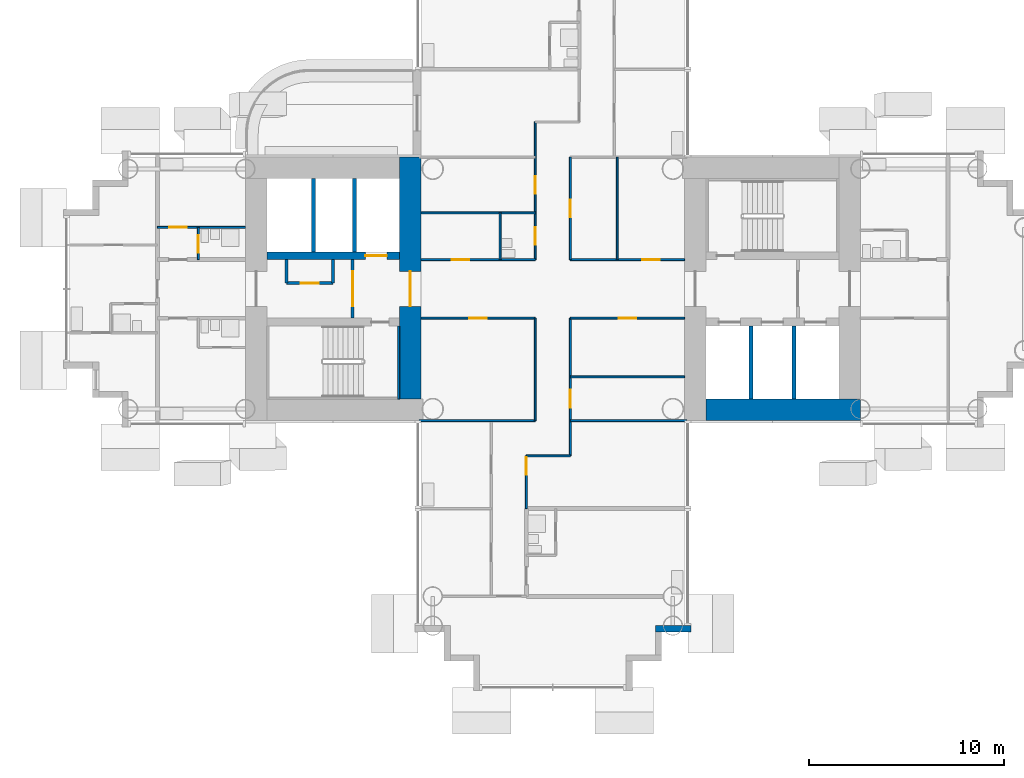
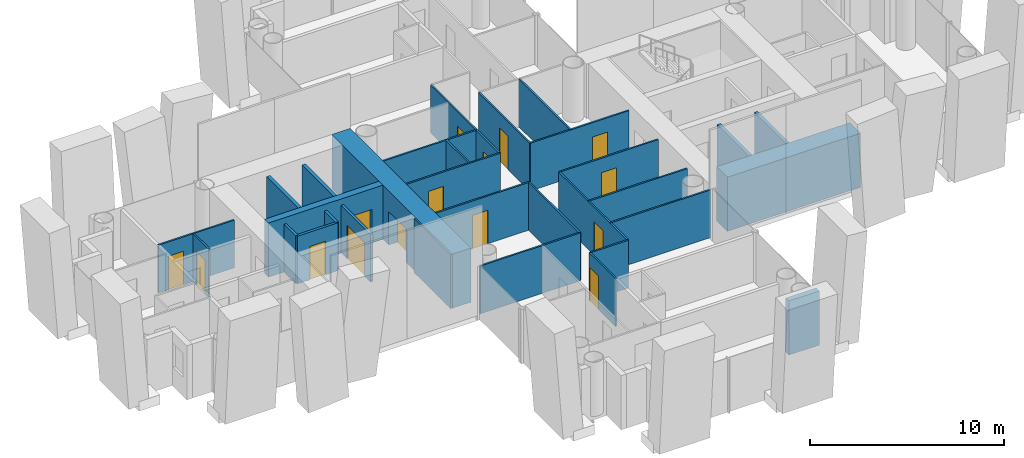
# One storey, part 11 of 25: 31 walls, 15 doors, 15 openings.
"""IFC4 building model written with IfcOpenShell, lengths in metres."""

from ifc_helpers import new_model, si_unit, direction, frame, frame_2d, origin, place, context, subcontext, project, spatial, rectangle, extrude, material, layer, layer_set, type_object, element, fill, save


model = new_model("IFC4")

# Units and contexts
model_context = context("Model", 3, precision=1e-05, world=origin(), true_north=direction((0.0, 1.0)))
body_context = subcontext(model_context, "Body", "Model", "MODEL_VIEW")
ifc_project = project(units=[si_unit("LENGTHUNIT", "METRE"), si_unit("AREAUNIT", "SQUARE_METRE"), si_unit("VOLUMEUNIT", "CUBIC_METRE"), si_unit("PLANEANGLEUNIT", "RADIAN"), si_unit("MASSUNIT", "GRAM", prefix="KILO")], contexts=[model_context])

# Site, building, storey
site_placement = place(None, origin())
site = spatial("IfcSite", under=ifc_project, at=site_placement, CompositionType="ELEMENT")
building_placement = place(site_placement, origin())
building = spatial("IfcBuilding", under=site, at=building_placement, Name="Ipe Terrace Towers", CompositionType="ELEMENT")
storey_placement = place(building_placement, frame((0.0, 0.0, 58.5)))
storey = spatial("IfcBuildingStorey", under=building, at=storey_placement, Name="L15", CompositionType="ELEMENT", Elevation=58.5)

# Wall
ifc_material_1 = material(Name="Concrete C40/50 with buff precast cladding", Category="concrete")
ifc_layer_1 = layer(ifc_material_1, 0.320068359375)
ifc_layer_set_1 = layer_set([ifc_layer_1], Name="BUFF CLADDING WALL 320")
wall_type_1 = type_object("IfcWallType", Name="BUFF CLADDING WALL 320", PredefinedType="STANDARD", material=ifc_layer_set_1)
wall_1_placement = place(storey_placement, frame((-30.75, -17.409912109375, -0.300048828125), z_axis=(0.0, 0.0, 1.0), x_axis=(1.0, 0.0, 0.0)))
element("IfcWall", 1, at=wall_1_placement, inside=storey, type_object=wall_type_1, Name="T1-W-L15-16a wall", PredefinedType="STANDARD", context=body_context, shape_type="SweptSolid", body=[
    extrude(rectangle(XDim=1.820068359375, YDim=0.320068359375, at=frame_2d((0.91015625, 0.0))), origin(), (0.0, 0.0, 1.0), 3.400146484375),
])

# Wall, opening, door
ifc_material_2 = material(Name="Gypsum board partition", Category="plasterboard")
ifc_layer_2 = layer(ifc_material_2, 0.10009765625)
ifc_layer_set_2 = layer_set([ifc_layer_2], Name="Gypsum board partition 100 mm")
wall_type_2 = type_object("IfcWallType", Name="Gypsum board partition 100 mm", PredefinedType="PARTITIONING", material=ifc_layer_set_2)
wall_2_placement = place(storey_placement, frame((-54.14990234375, 1.5, 0.0), z_axis=(0.0, 0.0, 1.0), x_axis=(0.0, 1.0, 0.0)))
wall_2 = element("IfcWall", 2, at=wall_2_placement, inside=storey, type_object=wall_type_2, Name="Gypsum board partition T1 L15 W04", PredefinedType="PARTITIONING", context=body_context, shape_type="SweptSolid", body=[
    extrude(rectangle(XDim=1.64990234375, YDim=0.10009765625, at=frame_2d((0.824951171875, 0.0))), origin(), (0.0, 0.0, 1.0), 3.0),
])
opening_1_placement = place(wall_2_placement, frame((0.35009765625, 0.0, 0.0)))
opening_1 = element("IfcOpeningElement", 3, at=opening_1_placement, cuts=wall_2, Name="Opening T1-Z1D-29", PredefinedType="OPENING", context=body_context, shape_type="SweptSolid", body=[
    extrude(rectangle(XDim=0.89990234375, YDim=2.10009765625, at=frame_2d((0.449951171875, 1.050048828125))), frame((0.0, 0.06005859375, 0.0), z_axis=(0.0, -1.0, 0.0), x_axis=(1.0, 0.0, 0.0)), (0.0, 0.0, 1.0), 0.1201171875),
])
ifc_material_3 = material(Name="Timber door leaf", Category="wood")
door_type_1 = type_object("IfcDoorType", Name="Bathroom door 900 x 2100", OperationType="NOTDEFINED", PredefinedType="DOOR", material=ifc_material_3)
door_1_placement = place(opening_1_placement, origin())
door_1 = element("IfcDoor", 4, at=door_1_placement, inside=storey, type_object=door_type_1, Name="Bathroom door T1-Z1D-29", OperationType="SINGLE_SWING_LEFT", OverallHeight=2.10009765625, OverallWidth=0.89990234375, PredefinedType="DOOR", context=body_context, shape_type="SweptSolid", body=[
    extrude(rectangle(XDim=0.89990234375, YDim=2.10009765625, at=frame_2d((0.449951171875, 1.050048828125))), frame((0.0, 0.02490234375, 0.0), z_axis=(0.0, -1.0, 0.0), x_axis=(1.0, 0.0, 0.0)), (0.0, 0.0, 1.0), 0.050048828125),
])
fill(opening_1, door_1)

# Wall
wall_3_placement = place(storey_placement, frame((-38.699951171875, 1.5, 0.0), z_axis=(0.0, 0.0, 1.0), x_axis=(0.0, 1.0, 0.0)))
element("IfcWall", 5, at=wall_3_placement, inside=storey, type_object=wall_type_2, Name="Gypsum board partition T1 L15 W06", PredefinedType="PARTITIONING", context=body_context, shape_type="SweptSolid", body=[
    extrude(rectangle(XDim=2.39990234375, YDim=0.10009765625, at=frame_2d((1.199951171875, 0.0))), origin(), (0.0, 0.0, 1.0), 3.0),
])

# Wall, opening, door
wall_4_placement = place(storey_placement, frame((-37.35009765625, -11.25, 0.0), z_axis=(0.0, 0.0, 1.0), x_axis=(0.0, 1.0, 0.0)))
wall_4 = element("IfcWall", 6, at=wall_4_placement, inside=storey, type_object=wall_type_2, Name="Gypsum board partition T1 L15 W07", PredefinedType="PARTITIONING", context=body_context, shape_type="SweptSolid", body=[
    extrude(rectangle(XDim=2.699951171875, YDim=0.10009765625, at=frame_2d((1.35009765625, 0.0))), origin(), (0.0, 0.0, 1.0), 3.0),
])
opening_2_placement = place(wall_4_placement, frame((1.72998046875, 0.0, 0.0)))
opening_2 = element("IfcOpeningElement", 7, at=opening_2_placement, cuts=wall_4, Name="Opening T1-Z1D-15", PredefinedType="OPENING", context=body_context, shape_type="SweptSolid", body=[
    extrude(rectangle(XDim=0.89990234375, YDim=2.10009765625, at=frame_2d((0.449951171875, 1.050048828125))), frame((0.0, 0.06005859375, 0.0), z_axis=(0.0, -1.0, 0.0), x_axis=(1.0, 0.0, 0.0)), (0.0, 0.0, 1.0), 0.1201171875),
])
ifc_material_4 = material(Name="Timber door leaf", Category="wood")
door_type_2 = type_object("IfcDoorType", Name="Lounge door 900 x 2100", OperationType="NOTDEFINED", PredefinedType="DOOR", material=ifc_material_4)
door_2_placement = place(opening_2_placement, origin())
door_2 = element("IfcDoor", 8, at=door_2_placement, inside=storey, type_object=door_type_2, Name="Lounge door T1-Z1D-15", OperationType="SINGLE_SWING_RIGHT", OverallHeight=2.10009765625, OverallWidth=0.89990234375, PredefinedType="DOOR", context=body_context, shape_type="SweptSolid", body=[
    extrude(rectangle(XDim=0.89990234375, YDim=2.10009765625, at=frame_2d((0.449951171875, 1.050048828125))), frame((0.0, 0.02490234375, 0.0), z_axis=(0.0, -1.0, 0.0), x_axis=(1.0, 0.0, 0.0)), (0.0, 0.0, 1.0), 0.050048828125),
])
fill(opening_2, door_2)

# Wall
wall_5_placement = place(storey_placement, frame((-36.89990234375, -6.75, 0.0), z_axis=(0.0, 0.0, 1.0), x_axis=(0.0, 1.0, 0.0)))
element("IfcWall", 9, at=wall_5_placement, inside=storey, type_object=wall_type_2, Name="Gypsum board partition T1 L15 W09", PredefinedType="PARTITIONING", context=body_context, shape_type="SweptSolid", body=[
    extrude(rectangle(XDim=5.25, YDim=0.10009765625, at=frame_2d((2.625, 0.0))), origin(), (0.0, 0.0, 1.0), 3.0),
])

# Wall, openings, doors
wall_6_placement = place(storey_placement, frame((-36.89990234375, 1.5, 0.0), z_axis=(0.0, 0.0, 1.0), x_axis=(0.0, 1.0, 0.0)))
wall_6 = element("IfcWall", 10, at=wall_6_placement, inside=storey, type_object=wall_type_2, Name="Gypsum board partition T1 L15 W10", PredefinedType="PARTITIONING", context=body_context, shape_type="SweptSolid", body=[
    extrude(rectangle(XDim=7.050048828125, YDim=0.10009765625, at=frame_2d((3.52490234375, 0.0))), origin(), (0.0, 0.0, 1.0), 3.0),
])
opening_3_placement = place(wall_6_placement, frame((0.75, 0.0, 0.0)))
opening_3 = element("IfcOpeningElement", 11, at=opening_3_placement, cuts=wall_6, Name="Opening T1-Z1D-01", PredefinedType="OPENING", context=body_context, shape_type="SweptSolid", body=[
    extrude(rectangle(XDim=0.89990234375, YDim=2.10009765625, at=frame_2d((0.449951171875, 1.050048828125))), frame((0.0, 0.06005859375, 0.0), z_axis=(0.0, -1.0, 0.0), x_axis=(1.0, 0.0, 0.0)), (0.0, 0.0, 1.0), 0.1201171875),
])
opening_4_placement = place(wall_6_placement, frame((3.375, 0.0, 0.0)))
opening_4 = element("IfcOpeningElement", 12, at=opening_4_placement, cuts=wall_6, Name="Opening T1-Z1D-05", PredefinedType="OPENING", context=body_context, shape_type="SweptSolid", body=[
    extrude(rectangle(XDim=0.89990234375, YDim=2.10009765625, at=frame_2d((0.449951171875, 1.050048828125))), frame((0.0, 0.06005859375, 0.0), z_axis=(0.0, -1.0, 0.0), x_axis=(1.0, 0.0, 0.0)), (0.0, 0.0, 1.0), 0.1201171875),
])
door_3_placement = place(opening_3_placement, origin())
door_3 = element("IfcDoor", 13, at=door_3_placement, inside=storey, type_object=door_type_1, Name="Bathroom door T1-Z1D-01", OperationType="SINGLE_SWING_RIGHT", OverallHeight=2.10009765625, OverallWidth=0.89990234375, PredefinedType="DOOR", context=body_context, shape_type="SweptSolid", body=[
    extrude(rectangle(XDim=0.89990234375, YDim=2.10009765625, at=frame_2d((0.449951171875, 1.050048828125))), frame((0.0, 0.02490234375, 0.0), z_axis=(0.0, -1.0, 0.0), x_axis=(1.0, 0.0, 0.0)), (0.0, 0.0, 1.0), 0.050048828125),
])
fill(opening_3, door_3)
door_4_placement = place(opening_4_placement, origin())
door_4 = element("IfcDoor", 14, at=door_4_placement, inside=storey, type_object=door_type_2, Name="Lounge door T1-Z1D-05", OperationType="SINGLE_SWING_LEFT", OverallHeight=2.10009765625, OverallWidth=0.89990234375, PredefinedType="DOOR", context=body_context, shape_type="SweptSolid", body=[
    extrude(rectangle(XDim=0.89990234375, YDim=2.10009765625, at=frame_2d((0.449951171875, 1.050048828125))), frame((0.0, 0.02490234375, 0.0), z_axis=(0.0, -1.0, 0.0), x_axis=(1.0, 0.0, 0.0)), (0.0, 0.0, 1.0), 0.050048828125),
])
fill(opening_4, door_4)

# Wall, opening, door
wall_7_placement = place(storey_placement, frame((-35.10009765625, -8.550048828125, 0.0), z_axis=(0.0, 0.0, 1.0), x_axis=(0.0, 1.0, 0.0)))
wall_7 = element("IfcWall", 15, at=wall_7_placement, inside=storey, type_object=wall_type_2, Name="Gypsum board partition T1 L15 W13", PredefinedType="PARTITIONING", context=body_context, shape_type="SweptSolid", body=[
    extrude(rectangle(XDim=7.050048828125, YDim=0.10009765625, at=frame_2d((3.52490234375, 0.0))), origin(), (0.0, 0.0, 1.0), 3.0),
])
opening_5_placement = place(wall_7_placement, frame((2.47509765625, 0.0, 0.0)))
opening_5 = element("IfcOpeningElement", 16, at=opening_5_placement, cuts=wall_7, Name="Opening T1-Z1D-08", PredefinedType="OPENING", context=body_context, shape_type="SweptSolid", body=[
    extrude(rectangle(XDim=0.89990234375, YDim=2.10009765625, at=frame_2d((0.449951171875, 1.050048828125))), frame((0.0, 0.06005859375, 0.0), z_axis=(0.0, -1.0, 0.0), x_axis=(1.0, 0.0, 0.0)), (0.0, 0.0, 1.0), 0.1201171875),
])
door_5_placement = place(opening_5_placement, origin())
door_5 = element("IfcDoor", 17, at=door_5_placement, inside=storey, type_object=door_type_2, Name="Lounge door T1-Z1D-08", OperationType="SINGLE_SWING_LEFT", OverallHeight=2.10009765625, OverallWidth=0.89990234375, PredefinedType="DOOR", context=body_context, shape_type="SweptSolid", body=[
    extrude(rectangle(XDim=0.89990234375, YDim=2.10009765625, at=frame_2d((0.449951171875, 1.050048828125))), frame((0.0, 0.02490234375, 0.0), z_axis=(0.0, -1.0, 0.0), x_axis=(1.0, 0.0, 0.0)), (0.0, 0.0, 1.0), 0.050048828125),
])
fill(opening_5, door_5)

wall_8_placement = place(storey_placement, frame((-35.10009765625, 1.5, 0.0), z_axis=(0.0, 0.0, 1.0), x_axis=(0.0, 1.0, 0.0)))
wall_8 = element("IfcWall", 18, at=wall_8_placement, inside=storey, type_object=wall_type_2, Name="Gypsum board partition T1 L15 W14", PredefinedType="PARTITIONING", context=body_context, shape_type="SweptSolid", body=[
    extrude(rectangle(XDim=5.25, YDim=0.10009765625, at=frame_2d((2.625, 0.0))), origin(), (0.0, 0.0, 1.0), 3.0),
])
opening_6_placement = place(wall_8_placement, frame((2.175048828125, 0.0, 0.0)))
opening_6 = element("IfcOpeningElement", 19, at=opening_6_placement, cuts=wall_8, Name="Opening T1-Z1D-02", PredefinedType="OPENING", context=body_context, shape_type="SweptSolid", body=[
    extrude(rectangle(XDim=0.89990234375, YDim=2.10009765625, at=frame_2d((0.449951171875, 1.050048828125))), frame((0.0, 0.06005859375, 0.0), z_axis=(0.0, -1.0, 0.0), x_axis=(1.0, 0.0, 0.0)), (0.0, 0.0, 1.0), 0.1201171875),
])
door_6_placement = place(opening_6_placement, origin())
door_6 = element("IfcDoor", 20, at=door_6_placement, inside=storey, type_object=door_type_2, Name="Lounge door T1-Z1D-02", OperationType="SINGLE_SWING_RIGHT", OverallHeight=2.10009765625, OverallWidth=0.89990234375, PredefinedType="DOOR", context=body_context, shape_type="SweptSolid", body=[
    extrude(rectangle(XDim=0.89990234375, YDim=2.10009765625, at=frame_2d((0.449951171875, 1.050048828125))), frame((0.0, 0.02490234375, 0.0), z_axis=(0.0, -1.0, 0.0), x_axis=(1.0, 0.0, 0.0)), (0.0, 0.0, 1.0), 0.050048828125),
])
fill(opening_6, door_6)

# Walls
wall_9_placement = place(storey_placement, frame((-32.699951171875, 1.5, 0.0), z_axis=(0.0, 0.0, 1.0), x_axis=(0.0, 1.0, 0.0)))
element("IfcWall", 21, at=wall_9_placement, inside=storey, type_object=wall_type_2, Name="Gypsum board partition T1 L15 W18", PredefinedType="PARTITIONING", context=body_context, shape_type="SweptSolid", body=[
    extrude(rectangle(XDim=5.25, YDim=0.10009765625, at=frame_2d((2.625, 0.0))), origin(), (0.0, 0.0, 1.0), 3.0),
])
wall_10_placement = place(storey_placement, frame((-37.35009765625, -8.550048828125, 0.0), z_axis=(0.0, 0.0, 1.0), x_axis=(1.0, 0.0, 0.0)))
element("IfcWall", 22, at=wall_10_placement, inside=storey, type_object=wall_type_2, Name="Gypsum board partition T1 L15 W27", PredefinedType="PARTITIONING", context=body_context, shape_type="SweptSolid", body=[
    extrude(rectangle(XDim=2.25, YDim=0.10009765625, at=frame_2d((1.125, 0.0))), origin(), (0.0, 0.0, 1.0), 3.0),
])
for number, where, z_axis, x_axis, name in (
    (23, (-42.85009765625, -6.75, 0.0), (0.0, 0.0, 1.0), (1.0, 0.0, 0.0), "Gypsum board partition T1 L15 W28"),
    (24, (-35.10009765625, -6.75, 0.0), (0.0, 0.0, 1.0), (1.0, 0.0, 0.0), "Gypsum board partition T1 L15 W29"),
):
    element("IfcWall", number, at=place(storey_placement, frame(where, z_axis=z_axis, x_axis=x_axis)), inside=storey, type_object=wall_type_2, Name=name, PredefinedType="PARTITIONING", context=body_context, shape_type="SweptSolid", body=[
        extrude(rectangle(XDim=5.9501953125, YDim=0.10009765625, at=frame_2d((2.97509765625, 0.0))), origin(), (0.0, 0.0, 1.0), 3.0),
    ])
wall_11_placement = place(storey_placement, frame((-35.10009765625, -4.5, 0.0), z_axis=(0.0, 0.0, 1.0), x_axis=(1.0, 0.0, 0.0)))
element("IfcWall", 25, at=wall_11_placement, inside=storey, type_object=wall_type_2, Name="Gypsum board partition T1 L15 W30", PredefinedType="PARTITIONING", context=body_context, shape_type="SweptSolid", body=[
    extrude(rectangle(XDim=5.85009765625, YDim=0.10009765625, at=frame_2d((2.925048828125, 0.0))), origin(), (0.0, 0.0, 1.0), 3.0),
])

# Wall, opening, door
wall_12_placement = place(storey_placement, frame((-42.75, -1.5, 0.0), z_axis=(0.0, 0.0, 1.0), x_axis=(1.0, 0.0, 0.0)))
wall_12 = element("IfcWall", 26, at=wall_12_placement, inside=storey, type_object=wall_type_2, Name="Gypsum board partition T1 L15 W33", PredefinedType="PARTITIONING", context=body_context, shape_type="SweptSolid", body=[
    extrude(rectangle(XDim=5.85009765625, YDim=0.10009765625, at=frame_2d((2.925048828125, 0.0))), origin(), (0.0, 0.0, 1.0), 3.0),
])
opening_7_placement = place(wall_12_placement, frame((2.47509765625, 0.0, 0.0)))
opening_7 = element("IfcOpeningElement", 27, at=opening_7_placement, cuts=wall_12, Name="Opening T1-Z1D-06", PredefinedType="OPENING", context=body_context, shape_type="SweptSolid", body=[
    extrude(rectangle(XDim=0.89990234375, YDim=2.10009765625, at=frame_2d((0.449951171875, 1.050048828125))), frame((0.0, 0.06005859375, 0.0), z_axis=(0.0, -1.0, 0.0), x_axis=(1.0, 0.0, 0.0)), (0.0, 0.0, 1.0), 0.1201171875),
])
door_7_placement = place(opening_7_placement, origin())
door_7 = element("IfcDoor", 28, at=door_7_placement, inside=storey, type_object=door_type_2, Name="Lounge door T1-Z1D-06", OperationType="SINGLE_SWING_LEFT", OverallHeight=2.10009765625, OverallWidth=0.89990234375, PredefinedType="DOOR", context=body_context, shape_type="SweptSolid", body=[
    extrude(rectangle(XDim=0.89990234375, YDim=2.10009765625, at=frame_2d((0.449951171875, 1.050048828125))), frame((0.0, 0.02490234375, 0.0), z_axis=(0.0, -1.0, 0.0), x_axis=(1.0, 0.0, 0.0)), (0.0, 0.0, 1.0), 0.050048828125),
])
fill(opening_7, door_7)

wall_13_placement = place(storey_placement, frame((-35.10009765625, -1.5, 0.0), z_axis=(0.0, 0.0, 1.0), x_axis=(1.0, 0.0, 0.0)))
wall_13 = element("IfcWall", 29, at=wall_13_placement, inside=storey, type_object=wall_type_2, Name="Gypsum board partition T1 L15 W34", PredefinedType="PARTITIONING", context=body_context, shape_type="SweptSolid", body=[
    extrude(rectangle(XDim=5.85009765625, YDim=0.10009765625, at=frame_2d((2.925048828125, 0.0))), origin(), (0.0, 0.0, 1.0), 3.0),
])
opening_8_placement = place(wall_13_placement, frame((2.47509765625, 0.0, 0.0)))
opening_8 = element("IfcOpeningElement", 30, at=opening_8_placement, cuts=wall_13, Name="Opening T1-Z1D-07", PredefinedType="OPENING", context=body_context, shape_type="SweptSolid", body=[
    extrude(rectangle(XDim=0.89990234375, YDim=2.10009765625, at=frame_2d((0.449951171875, 1.050048828125))), frame((0.0, 0.06005859375, 0.0), z_axis=(0.0, -1.0, 0.0), x_axis=(1.0, 0.0, 0.0)), (0.0, 0.0, 1.0), 0.1201171875),
])
door_8_placement = place(opening_8_placement, origin())
door_8 = element("IfcDoor", 31, at=door_8_placement, inside=storey, type_object=door_type_2, Name="Lounge door T1-Z1D-07", OperationType="SINGLE_SWING_RIGHT", OverallHeight=2.10009765625, OverallWidth=0.89990234375, PredefinedType="DOOR", context=body_context, shape_type="SweptSolid", body=[
    extrude(rectangle(XDim=0.89990234375, YDim=2.10009765625, at=frame_2d((0.449951171875, 1.050048828125))), frame((0.0, 0.02490234375, 0.0), z_axis=(0.0, -1.0, 0.0), x_axis=(1.0, 0.0, 0.0)), (0.0, 0.0, 1.0), 0.050048828125),
])
fill(opening_8, door_8)

wall_14_placement = place(storey_placement, frame((-42.75, 1.5, 0.0), z_axis=(0.0, 0.0, 1.0), x_axis=(1.0, 0.0, 0.0)))
wall_14 = element("IfcWall", 32, at=wall_14_placement, inside=storey, type_object=wall_type_2, Name="Gypsum board partition T1 L15 W38", PredefinedType="PARTITIONING", context=body_context, shape_type="SweptSolid", body=[
    extrude(rectangle(XDim=5.85009765625, YDim=0.10009765625, at=frame_2d((2.925048828125, 0.0))), origin(), (0.0, 0.0, 1.0), 3.0),
])
opening_9_placement = place(wall_14_placement, frame((1.574951171875, 0.0, 0.0)))
opening_9 = element("IfcOpeningElement", 33, at=opening_9_placement, cuts=wall_14, Name="Opening T1-Z1D-04", PredefinedType="OPENING", context=body_context, shape_type="SweptSolid", body=[
    extrude(rectangle(XDim=0.89990234375, YDim=2.10009765625, at=frame_2d((0.449951171875, 1.050048828125))), frame((0.0, 0.06005859375, 0.0), z_axis=(0.0, -1.0, 0.0), x_axis=(1.0, 0.0, 0.0)), (0.0, 0.0, 1.0), 0.1201171875),
])
door_9_placement = place(opening_9_placement, origin())
door_9 = element("IfcDoor", 34, at=door_9_placement, inside=storey, type_object=door_type_2, Name="Lounge door T1-Z1D-04", OperationType="SINGLE_SWING_RIGHT", OverallHeight=2.10009765625, OverallWidth=0.89990234375, PredefinedType="DOOR", context=body_context, shape_type="SweptSolid", body=[
    extrude(rectangle(XDim=0.89990234375, YDim=2.10009765625, at=frame_2d((0.449951171875, 1.050048828125))), frame((0.0, 0.02490234375, 0.0), z_axis=(0.0, -1.0, 0.0), x_axis=(1.0, 0.0, 0.0)), (0.0, 0.0, 1.0), 0.050048828125),
])
fill(opening_9, door_9)

wall_15_placement = place(storey_placement, frame((-35.10009765625, 1.5, 0.0), z_axis=(0.0, 0.0, 1.0), x_axis=(1.0, 0.0, 0.0)))
wall_15 = element("IfcWall", 35, at=wall_15_placement, inside=storey, type_object=wall_type_2, Name="Gypsum board partition T1 L15 W39", PredefinedType="PARTITIONING", context=body_context, shape_type="SweptSolid", body=[
    extrude(rectangle(XDim=5.85009765625, YDim=0.10009765625, at=frame_2d((2.925048828125, 0.0))), origin(), (0.0, 0.0, 1.0), 3.0),
])
opening_10_placement = place(wall_15_placement, frame((3.675048828125, 0.0, 0.0)))
opening_10 = element("IfcOpeningElement", 36, at=opening_10_placement, cuts=wall_15, Name="Opening T1-Z1D-03", PredefinedType="OPENING", context=body_context, shape_type="SweptSolid", body=[
    extrude(rectangle(XDim=0.89990234375, YDim=2.10009765625, at=frame_2d((0.449951171875, 1.050048828125))), frame((0.0, 0.06005859375, 0.0), z_axis=(0.0, -1.0, 0.0), x_axis=(1.0, 0.0, 0.0)), (0.0, 0.0, 1.0), 0.1201171875),
])
door_10_placement = place(opening_10_placement, origin())
door_10 = element("IfcDoor", 37, at=door_10_placement, inside=storey, type_object=door_type_2, Name="Lounge door T1-Z1D-03", OperationType="SINGLE_SWING_LEFT", OverallHeight=2.10009765625, OverallWidth=0.89990234375, PredefinedType="DOOR", context=body_context, shape_type="SweptSolid", body=[
    extrude(rectangle(XDim=0.89990234375, YDim=2.10009765625, at=frame_2d((0.449951171875, 1.050048828125))), frame((0.0, 0.02490234375, 0.0), z_axis=(0.0, -1.0, 0.0), x_axis=(1.0, 0.0, 0.0)), (0.0, 0.0, 1.0), 0.050048828125),
])
fill(opening_10, door_10)

wall_16_placement = place(storey_placement, frame((-56.25, 3.14990234375, 0.0), z_axis=(0.0, 0.0, 1.0), x_axis=(1.0, 0.0, 0.0)))
wall_16 = element("IfcWall", 38, at=wall_16_placement, inside=storey, type_object=wall_type_2, Name="Gypsum board partition T1 L15 W44", PredefinedType="PARTITIONING", context=body_context, shape_type="SweptSolid", body=[
    extrude(rectangle(XDim=4.5, YDim=0.10009765625, at=frame_2d((2.25, 0.0))), origin(), (0.0, 0.0, 1.0), 3.0),
])
opening_11_placement = place(wall_16_placement, frame((0.60009765625, 0.0, 0.0)))
opening_11 = element("IfcOpeningElement", 39, at=opening_11_placement, cuts=wall_16, Name="Opening T1-Z1D-28", PredefinedType="OPENING", context=body_context, shape_type="SweptSolid", body=[
    extrude(rectangle(XDim=0.89990234375, YDim=2.10009765625, at=frame_2d((0.449951171875, 1.050048828125))), frame((0.0, 0.06005859375, 0.0), z_axis=(0.0, -1.0, 0.0), x_axis=(1.0, 0.0, 0.0)), (0.0, 0.0, 1.0), 0.1201171875),
])
ifc_material_5 = material(Name="Timber door leaf", Category="wood")
door_type_3 = type_object("IfcDoorType", Name="Bedroom door 900 x 2100", OperationType="NOTDEFINED", PredefinedType="DOOR", material=ifc_material_5)
door_11_placement = place(opening_11_placement, origin())
door_11 = element("IfcDoor", 40, at=door_11_placement, inside=storey, type_object=door_type_3, Name="Bedroom door T1-Z1D-28", OperationType="SINGLE_SWING_RIGHT", OverallHeight=2.10009765625, OverallWidth=0.89990234375, PredefinedType="DOOR", context=body_context, shape_type="SweptSolid", body=[
    extrude(rectangle(XDim=0.89990234375, YDim=2.10009765625, at=frame_2d((0.449951171875, 1.050048828125))), frame((0.0, 0.02490234375, 0.0), z_axis=(0.0, -1.0, 0.0), x_axis=(1.0, 0.0, 0.0)), (0.0, 0.0, 1.0), 0.050048828125),
])
fill(opening_11, door_11)

# Wall
wall_17_placement = place(storey_placement, frame((-42.75, 3.89990234375, 0.0), z_axis=(0.0, 0.0, 1.0), x_axis=(1.0, 0.0, 0.0)))
element("IfcWall", 41, at=wall_17_placement, inside=storey, type_object=wall_type_2, Name="Gypsum board partition T1 L15 W45", PredefinedType="PARTITIONING", context=body_context, shape_type="SweptSolid", body=[
    extrude(rectangle(XDim=5.85009765625, YDim=0.10009765625, at=frame_2d((2.925048828125, 0.0))), origin(), (0.0, 0.0, 1.0), 3.0),
])

# Wall, opening, door
ifc_material_6 = material(Name="Gypsum board partition", Category="plasterboard")
ifc_layer_3 = layer(ifc_material_6, 0.14990234375)
ifc_layer_set_3 = layer_set([ifc_layer_3], Name="Gypsum board partition 150 mm")
wall_type_3 = type_object("IfcWallType", Name="Gypsum board partition 150 mm", PredefinedType="PARTITIONING", material=ifc_layer_set_3)
wall_18_placement = place(storey_placement, frame((-46.25, 1.5, 0.0), z_axis=(0.0, 0.0, 1.0), x_axis=(0.0, -1.0, 0.0)))
wall_18 = element("IfcWall", 42, at=wall_18_placement, inside=storey, type_object=wall_type_3, Name="Gypsum board partition T1 L15 t1c2-lobby-wall", PredefinedType="PARTITIONING", context=body_context, shape_type="SweptSolid", body=[
    extrude(rectangle(XDim=3.0, YDim=0.14990234375, at=frame_2d((1.5, 0.0))), origin(), (0.0, 0.0, 1.0), 3.0),
])
opening_12_placement = place(wall_18_placement, frame((0.60009765625, 0.0, 0.0)))
opening_12 = element("IfcOpeningElement", 43, at=opening_12_placement, cuts=wall_18, Name="Opening T1C2-VD", PredefinedType="OPENING", context=body_context, shape_type="SweptSolid", body=[
    extrude(rectangle(XDim=1.800048828125, YDim=2.10009765625, at=frame_2d((0.89990234375, 1.050048828125))), frame((0.0, 0.0849609375, 0.0), z_axis=(0.0, -1.0, 0.0), x_axis=(1.0, 0.0, 0.0)), (0.0, 0.0, 1.0), 0.169921875),
])
ifc_material_7 = material(Name="Fire-rated timber door leaf", Category="wood")
door_type_4 = type_object("IfcDoorType", Name="Lobby door 1800 x 2100 FD60", OperationType="NOTDEFINED", PredefinedType="DOOR", material=ifc_material_7)
door_12_placement = place(opening_12_placement, origin())
door_12 = element("IfcDoor", 44, at=door_12_placement, inside=storey, type_object=door_type_4, Name="Lobby door T1C2-VD", OperationType="SINGLE_SWING_LEFT", OverallHeight=2.10009765625, OverallWidth=1.800048828125, PredefinedType="DOOR", context=body_context, shape_type="SweptSolid", body=[
    extrude(rectangle(XDim=1.800048828125, YDim=2.10009765625, at=frame_2d((0.89990234375, 1.050048828125))), frame((0.0, 0.02490234375, 0.0), z_axis=(0.0, -1.0, 0.0), x_axis=(1.0, 0.0, 0.0)), (0.0, 0.0, 1.0), 0.050048828125),
])
fill(opening_12, door_12)

wall_19_placement = place(storey_placement, frame((-47.25, 0.300048828125, 0.0), z_axis=(0.0, 0.0, 1.0), x_axis=(-1.0, 0.0, 0.0)))
wall_19 = element("IfcWall", 45, at=wall_19_placement, inside=storey, type_object=wall_type_3, Name="Gypsum board partition T1 L15 t1c2-cup-s-f", PredefinedType="PARTITIONING", context=body_context, shape_type="SweptSolid", body=[
    extrude(rectangle(XDim=2.39990234375, YDim=0.14990234375, at=frame_2d((1.199951171875, 0.0))), origin(), (0.0, 0.0, 1.0), 3.0),
])
opening_13_placement = place(wall_19_placement, frame((0.75, 0.0, 0.0)))
opening_13 = element("IfcOpeningElement", 46, at=opening_13_placement, cuts=wall_19, Name="Opening T1C2-SC", PredefinedType="OPENING", context=body_context, shape_type="SweptSolid", body=[
    extrude(rectangle(XDim=0.89990234375, YDim=2.10009765625, at=frame_2d((0.449951171875, 1.050048828125))), frame((0.0, 0.0849609375, 0.0), z_axis=(0.0, -1.0, 0.0), x_axis=(1.0, 0.0, 0.0)), (0.0, 0.0, 1.0), 0.169921875),
])
ifc_material_8 = material(Name="Fire-rated timber door leaf", Category="wood")
door_type_5 = type_object("IfcDoorType", Name="Service door 900 x 2100 FD30S", OperationType="NOTDEFINED", PredefinedType="DOOR", material=ifc_material_8)
door_13_placement = place(opening_13_placement, origin())
door_13 = element("IfcDoor", 47, at=door_13_placement, inside=storey, type_object=door_type_5, Name="Service door T1C2-SC", OperationType="SINGLE_SWING_LEFT", OverallHeight=2.10009765625, OverallWidth=0.89990234375, PredefinedType="DOOR", context=body_context, shape_type="SweptSolid", body=[
    extrude(rectangle(XDim=0.89990234375, YDim=2.10009765625, at=frame_2d((0.449951171875, 1.050048828125))), frame((0.0, 0.02490234375, 0.0), z_axis=(0.0, -1.0, 0.0), x_axis=(1.0, 0.0, 0.0)), (0.0, 0.0, 1.0), 0.050048828125),
])
fill(opening_13, door_13)

# Walls
for number, where, z_axis, x_axis, name in (
    (48, (-47.25, 0.300048828125, 0.0), (0.0, 0.0, 1.0), (0.0, 1.0, 0.0), "Gypsum board partition T1 L15 t1c2-cup-s-a"),
    (49, (-49.64990234375, 0.300048828125, 0.0), (0.0, 0.0, 1.0), (0.0, 1.0, 0.0), "Gypsum board partition T1 L15 t1c2-cup-s-b"),
):
    element("IfcWall", number, at=place(storey_placement, frame(where, z_axis=z_axis, x_axis=x_axis)), inside=storey, type_object=wall_type_3, Name=name, PredefinedType="PARTITIONING", context=body_context, shape_type="SweptSolid", body=[
        extrude(rectangle(XDim=1.199951171875, YDim=0.14990234375, at=frame_2d((0.60009765625, 0.0))), origin(), (0.0, 0.0, 1.0), 3.0),
    ])
ifc_material_9 = material(Name="Gypsum board party wall", Category="plasterboard")
ifc_layer_4 = layer(ifc_material_9, 0.199951171875)
ifc_layer_set_4 = layer_set([ifc_layer_4], Name="Gypsum board party wall 200 mm")
wall_type_4 = type_object("IfcWallType", Name="Gypsum board party wall 200 mm", PredefinedType="SOLIDWALL", material=ifc_layer_set_4)
for number, where, z_axis, x_axis, name in (
    (50, (-25.85009765625, -5.64990234375, 0.0), (0.0, 0.0, 1.0), (0.0, 1.0, 0.0), "Gypsum board party wall T1 L15 t1c1-shaft-div1"),
    (51, (-23.64990234375, -5.64990234375, 0.0), (0.0, 0.0, 1.0), (0.0, 1.0, 0.0), "Gypsum board party wall T1 L15 t1c1-shaft-div2"),
    (52, (-46.14990234375, 5.64990234375, 0.0), (0.0, 0.0, 1.0), (0.0, -1.0, 0.0), "Gypsum board party wall T1 L15 t1c2-shaft-div1"),
    (53, (-48.25, 5.64990234375, 0.0), (0.0, 0.0, 1.0), (0.0, -1.0, 0.0), "Gypsum board party wall T1 L15 t1c2-shaft-div2"),
):
    element("IfcWall", number, at=place(storey_placement, frame(where, z_axis=z_axis, x_axis=x_axis)), inside=storey, type_object=wall_type_4, Name=name, PredefinedType="SOLIDWALL", context=body_context, shape_type="SweptSolid", body=[
        extrude(rectangle(XDim=3.75, YDim=0.199951171875, at=frame_2d((1.875, 0.0))), origin(), (0.0, 0.0, 1.0), 3.0),
    ])
ifc_material_10 = material(Name="Concrete C60/75", Category="concrete")
ifc_layer_5 = layer(ifc_material_10, 0.10009765625)
ifc_layer_set_5 = layer_set([ifc_layer_5], Name="RW100 CORE INFILL WALL 100 C60-75")
wall_type_5 = type_object("IfcWallType", Name="RW100 CORE INFILL WALL 100 C60-75", PredefinedType="SHEAR", material=ifc_layer_set_5)
wall_20_placement = place(storey_placement, frame((-43.89990234375, -1.89990234375, 0.0), z_axis=(0.0, 0.0, 1.0), x_axis=(0.0, -1.0, 0.0)))
element("IfcWall", 54, at=wall_20_placement, inside=storey, type_object=wall_type_5, Name="Core infill wall T1-C2-near", PredefinedType="SHEAR", context=body_context, shape_type="SweptSolid", body=[
    extrude(rectangle(XDim=3.75, YDim=0.10009765625, at=frame_2d((1.875, 0.0))), origin(), (0.0, 0.0, 1.0), 3.39990234375),
])
ifc_material_11 = material(Name="Concrete C60/75", Category="concrete")
ifc_layer_6 = layer(ifc_material_11, 1.10009765625)
ifc_layer_set_6 = layer_set([ifc_layer_6], Name="RW1100 CORE WALL 1100 C60-75")
wall_type_6 = type_object("IfcWallType", Name="RW1100 CORE WALL 1100 C60-75", PredefinedType="SHEAR", material=ifc_layer_set_6)
wall_21_placement = place(storey_placement, frame((-28.14990234375, -6.199951171875, 0.0), z_axis=(0.0, 0.0, 1.0), x_axis=(1.0, 0.0, 0.0)))
element("IfcWall", 55, at=wall_21_placement, inside=storey, type_object=wall_type_6, Name="Core wall T1-C1-Z1-W01", PredefinedType="SHEAR", context=body_context, shape_type="SweptSolid", body=[
    extrude(rectangle(XDim=7.89990234375, YDim=1.10009765625, at=frame_2d((3.949951171875, 0.0))), origin(), (0.0, 0.0, 1.0), 3.39990234375),
])

# Wall, opening, door
wall_22_placement = place(storey_placement, frame((-43.300048828125, -5.64990234375, 0.0), z_axis=(0.0, 0.0, 1.0), x_axis=(0.0, 1.0, 0.0)))
wall_22 = element("IfcWall", 56, at=wall_22_placement, inside=storey, type_object=wall_type_6, Name="Core wall T1-C2-Z1-W02", PredefinedType="SHEAR", context=body_context, shape_type="SweptSolid", body=[
    extrude(rectangle(XDim=12.39990234375, YDim=1.10009765625, at=frame_2d((6.199951171875, 0.0))), origin(), (0.0, 0.0, 1.0), 3.39990234375),
])
opening_14_placement = place(wall_22_placement, frame((4.75, 0.0, 0.0)))
opening_14 = element("IfcOpeningElement", 57, at=opening_14_placement, cuts=wall_22, Name="Opening T1C2-ND", PredefinedType="OPENING", context=body_context, shape_type="SweptSolid", body=[
    extrude(rectangle(XDim=1.800048828125, YDim=2.10009765625, at=frame_2d((0.89990234375, 1.050048828125))), frame((0.0, 0.56005859375, 0.0), z_axis=(0.0, -1.0, 0.0), x_axis=(1.0, 0.0, 0.0)), (0.0, 0.0, 1.0), 1.1201171875),
])
ifc_material_12 = material(Name="Fire-rated timber door leaf", Category="wood")
door_type_6 = type_object("IfcDoorType", Name="Fire door 1800 x 2100 FD30S", OperationType="NOTDEFINED", PredefinedType="DOOR", material=ifc_material_12)
door_14_placement = place(opening_14_placement, origin())
door_14 = element("IfcDoor", 58, at=door_14_placement, inside=storey, type_object=door_type_6, Name="Fire door T1C2-ND", OperationType="SINGLE_SWING_LEFT", OverallHeight=2.10009765625, OverallWidth=1.800048828125, PredefinedType="DOOR", context=body_context, shape_type="SweptSolid", body=[
    extrude(rectangle(XDim=1.800048828125, YDim=2.10009765625, at=frame_2d((0.89990234375, 1.050048828125))), frame((0.0, 0.02490234375, 0.0), z_axis=(0.0, -1.0, 0.0), x_axis=(1.0, 0.0, 0.0)), (0.0, 0.0, 1.0), 0.050048828125),
])
fill(opening_14, door_14)

ifc_material_13 = material(Name="Concrete C60/75", Category="concrete")
ifc_layer_7 = layer(ifc_material_13, 0.39990234375)
ifc_layer_set_7 = layer_set([ifc_layer_7], Name="RW400 CORE SPINE WALL 400 C60-75")
wall_type_7 = type_object("IfcWallType", Name="RW400 CORE SPINE WALL 400 C60-75", PredefinedType="SHEAR", material=ifc_layer_set_7)
wall_23_placement = place(storey_placement, frame((-50.64990234375, 1.699951171875, 0.0), z_axis=(0.0, 0.0, 1.0), x_axis=(1.0, 0.0, 0.0)))
wall_23 = element("IfcWall", 59, at=wall_23_placement, inside=storey, type_object=wall_type_7, Name="Core spine wall T1-C2-Z1-SW2", PredefinedType="SHEAR", context=body_context, shape_type="SweptSolid", body=[
    extrude(rectangle(XDim=6.7998046875, YDim=0.39990234375, at=frame_2d((3.39990234375, 0.0))), origin(), (0.0, 0.0, 1.0), 3.39990234375),
])
opening_15_placement = place(wall_23_placement, frame((5.050048828125, 0.0, 0.0)))
opening_15 = element("IfcOpeningElement", 60, at=opening_15_placement, cuts=wall_23, Name="Opening T1C2-LD1", PredefinedType="OPENING", context=body_context, shape_type="SweptSolid", body=[
    extrude(rectangle(XDim=1.10009765625, YDim=2.10009765625, at=frame_2d((0.550048828125, 1.050048828125))), frame((0.0, 0.2099609375, 0.0), z_axis=(0.0, -1.0, 0.0), x_axis=(1.0, 0.0, 0.0)), (0.0, 0.0, 1.0), 0.419921875),
])
ifc_material_14 = material(Name="Fire-rated timber door leaf", Category="wood")
door_type_7 = type_object("IfcDoorType", Name="Sliding door 1100 x 2100 FD60", OperationType="SLIDING_TO_LEFT", PredefinedType="DOOR", material=ifc_material_14)
door_15_placement = place(opening_15_placement, origin())
door_15 = element("IfcDoor", 61, at=door_15_placement, inside=storey, type_object=door_type_7, Name="Sliding door T1C2-LD1", OperationType="SLIDING_TO_LEFT", OverallHeight=2.10009765625, OverallWidth=1.10009765625, PredefinedType="DOOR", context=body_context, shape_type="SweptSolid", body=[
    extrude(rectangle(XDim=1.10009765625, YDim=2.10009765625, at=frame_2d((0.550048828125, 1.050048828125))), frame((0.0, 0.02490234375, 0.0), z_axis=(0.0, -1.0, 0.0), x_axis=(1.0, 0.0, 0.0)), (0.0, 0.0, 1.0), 0.050048828125),
])
fill(opening_15, door_15)

save(model, "model.ifc")
